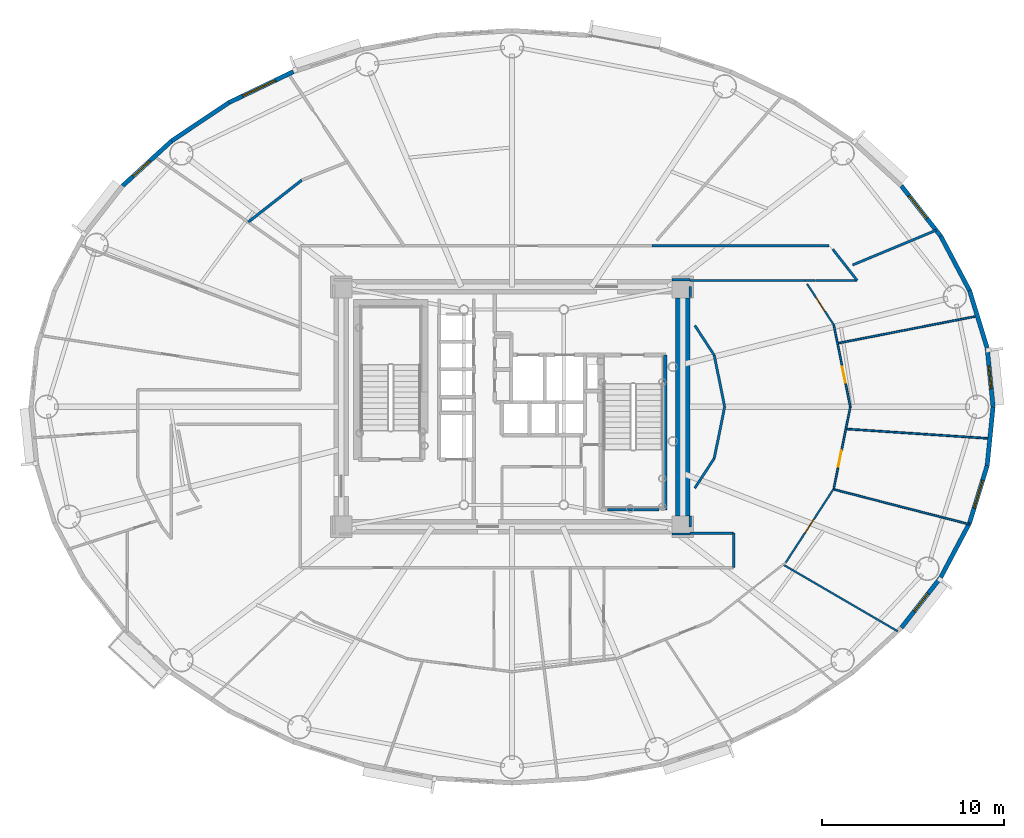
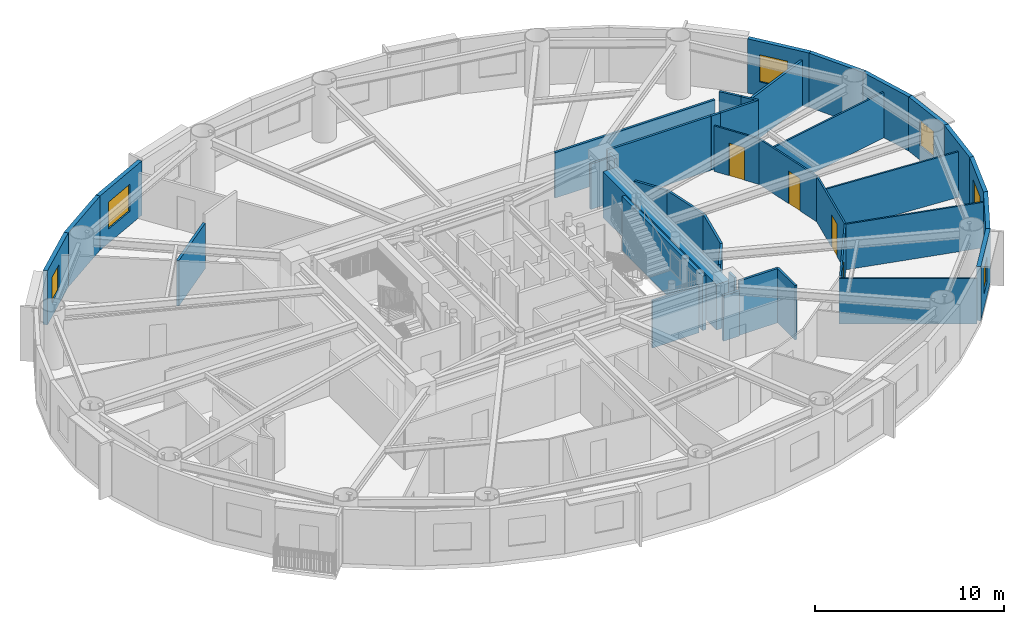
# One storey, part 11 of 18: 40 walls, 6 windows, 4 doors, 10 openings.
"""IFC4 building model written with IfcOpenShell, lengths in metres."""

from ifc_helpers import new_model, si_unit, direction, frame, frame_2d, origin, origin_2d, place, context, subcontext, project, spatial, rectangle, extrude, source, transform, mapped, material, layer, layer_set, type_object, element, fill, save


model = new_model("IFC4")

# Units and contexts
model_context = context("Model", 3, precision=1e-05, world=origin(), true_north=direction((0.0, 1.0)))
body_context = subcontext(model_context, "Body", "Model", "MODEL_VIEW")
ifc_project = project(units=[si_unit("LENGTHUNIT", "METRE"), si_unit("AREAUNIT", "SQUARE_METRE"), si_unit("VOLUMEUNIT", "CUBIC_METRE"), si_unit("PLANEANGLEUNIT", "RADIAN"), si_unit("MASSUNIT", "GRAM", prefix="KILO")], contexts=[model_context])

# Site, building, storey
site_placement = place(None, origin())
site = spatial("IfcSite", under=ifc_project, at=site_placement, CompositionType="ELEMENT")
building_placement = place(site_placement, origin())
building = spatial("IfcBuilding", under=site, at=building_placement, Name="Linh Dai School and Residence Tower", CompositionType="ELEMENT")
storey_placement = place(building_placement, frame((0.0, 0.0, 167.39990234375)))
storey = spatial("IfcBuildingStorey", under=building, at=storey_placement, Name="L40", CompositionType="ELEMENT", Elevation=167.39990234375)

# Wall, opening, window
ifc_material_1 = material(Name="Precast Concrete B45 (C35/45)", Category="concrete")
ifc_layer_1 = layer(ifc_material_1, 0.239990234375)
ifc_layer_set_1 = layer_set([ifc_layer_1], Name="Precast Concrete B45 (C35/45)")
wall_type_1 = type_object("IfcWallType", Name="EW-TC-240", PredefinedType="SOLIDWALL", material=ifc_layer_set_1)
wall_1_placement = place(storey_placement, frame((62.14990234375, 30.233642578125, 0.0), z_axis=(0.0, 0.0, 1.0), x_axis=(0.100061534614, -0.994981250723, 0.0)))
wall_1 = element("IfcWall", 1, at=wall_1_placement, inside=storey, type_object=wall_type_1, Name="L40 Terracotta Exterior Wall 01", PredefinedType="SOLIDWALL", context=body_context, shape_type="SweptSolid", body=[
    extrude(rectangle(XDim=3.25, YDim=0.239990234375, at=frame_2d((1.625, 0.0))), origin(), (0.0, 0.0, 1.0), 3.5),
])
opening_1_placement = place(wall_1_placement, frame((1.0, 0.0, 0.89990234375)))
opening_1 = element("IfcOpeningElement", 2, at=opening_1_placement, cuts=wall_1, Name="Opening W3", PredefinedType="OPENING", context=body_context, shape_type="SweptSolid", body=[
    extrude(rectangle(XDim=1.25, YDim=1.64990234375, at=origin_2d()), frame((0.625, 0.1298828125, 0.824951171875), z_axis=(0.0, -1.0, 0.0), x_axis=(1.0, 0.0, 0.0)), (0.0, 0.0, 1.0), 0.260009765625),
])
ifc_material_2 = material(Name="Double Low-E Insulated Glazing", Category="glass")
window_type_1 = type_object("IfcWindowType", Name="WN-RES-1250x1650", PartitioningType="SINGLE_PANEL", PredefinedType="WINDOW", material=ifc_material_2)
shared_shape_1 = source(origin(), body_context, "Body", "SweptSolid", [
    extrude(rectangle(XDim=1.25, YDim=1.64990234375, at=origin_2d()), frame((0.625, 0.030029296875, 0.824951171875), z_axis=(0.0, -1.0, 0.0), x_axis=(1.0, 0.0, 0.0)), (0.0, 0.0, 1.0), 0.06005859375),
])
window_1_placement = place(opening_1_placement, origin())
window_1 = element("IfcWindow", 3, at=window_1_placement, inside=storey, type_object=window_type_1, Name="L40 Dwelling Window U4002-BD4", OverallHeight=1.64990234375, OverallWidth=1.25, PartitioningType="SINGLE_PANEL", PredefinedType="WINDOW", context=body_context, shape_type="MappedRepresentation", body=[
    mapped(shared_shape_1, transform((0.0, 0.0, 0.0), x_axis=(1.0, 0.0, 0.0), y_axis=(0.0, 1.0, 0.0), z_axis=(0.0, 0.0, 1.0), scale=1.0)),
])
fill(opening_1, window_1)

# Walls
wall_2_placement = place(storey_placement, frame((61.1826171875, 33.388916015625, 0.0), z_axis=(0.0, 0.0, 1.0), x_axis=(0.293097995113, -0.956082405058, 0.0)))
element("IfcWall", 4, at=wall_2_placement, inside=storey, type_object=wall_type_1, Name="L40 Terracotta Exterior Wall 02", PredefinedType="SOLIDWALL", context=body_context, shape_type="SweptSolid", body=[
    extrude(rectangle(XDim=3.30029296875, YDim=0.239990234375, at=frame_2d((1.650146484375, 0.0))), origin(), (0.0, 0.0, 1.0), 3.5),
])
wall_3_placement = place(storey_placement, frame((59.595947265625, 36.388427734375, 0.0), z_axis=(0.0, 0.0, 1.0), x_axis=(0.467586874938, -0.88394712194, 0.0)))
element("IfcWall", 5, at=wall_3_placement, inside=storey, type_object=wall_type_1, Name="L40 Terracotta Exterior Wall 03", PredefinedType="SOLIDWALL", context=body_context, shape_type="SweptSolid", body=[
    extrude(rectangle(XDim=3.393310546875, YDim=0.239990234375, at=frame_2d((1.69677734375, 0.0))), origin(), (0.0, 0.0, 1.0), 3.5),
])

# Wall, opening, window
wall_4_placement = place(storey_placement, frame((57.42822265625, 39.158447265625, 0.0), z_axis=(0.0, 0.0, 1.0), x_axis=(0.616287674549, -0.787521112224, 0.0)))
wall_4 = element("IfcWall", 6, at=wall_4_placement, inside=storey, type_object=wall_type_1, Name="L40 Terracotta Exterior Wall 04", PredefinedType="SOLIDWALL", context=body_context, shape_type="SweptSolid", body=[
    extrude(rectangle(XDim=3.517333984375, YDim=0.239990234375, at=frame_2d((1.7587890625, 0.0))), origin(), (0.0, 0.0, 1.0), 3.5),
])
opening_2_placement = place(wall_4_placement, frame((0.683837890625, 0.0, 0.89990234375)))
opening_2 = element("IfcOpeningElement", 7, at=opening_2_placement, cuts=wall_4, Name="Opening W2", PredefinedType="OPENING", context=body_context, shape_type="SweptSolid", body=[
    extrude(rectangle(XDim=1.60009765625, YDim=1.75, at=origin_2d()), frame((0.800048828125, 0.1298828125, 0.875), z_axis=(0.0, -1.0, 0.0), x_axis=(1.0, 0.0, 0.0)), (0.0, 0.0, 1.0), 0.260009765625),
])
window_type_2 = type_object("IfcWindowType", Name="WN-RES-1600x1750", PartitioningType="DOUBLE_PANEL_VERTICAL", PredefinedType="WINDOW", material=ifc_material_2)
shared_shape_2 = source(origin(), body_context, "Body", "SweptSolid", [
    extrude(rectangle(XDim=1.60009765625, YDim=1.75, at=origin_2d()), frame((0.800048828125, 0.030029296875, 0.875), z_axis=(0.0, -1.0, 0.0), x_axis=(1.0, 0.0, 0.0)), (0.0, 0.0, 1.0), 0.06005859375),
])
window_2_placement = place(opening_2_placement, origin())
window_2 = element("IfcWindow", 8, at=window_2_placement, inside=storey, type_object=window_type_2, Name="L40 Exterior Window 04.1", OverallHeight=1.75, OverallWidth=1.60009765625, PartitioningType="DOUBLE_PANEL_VERTICAL", PredefinedType="WINDOW", context=body_context, shape_type="MappedRepresentation", body=[
    mapped(shared_shape_2, transform((0.0, 0.0, 0.0), x_axis=(1.0, 0.0, 0.0), y_axis=(0.0, 1.0, 0.0), z_axis=(0.0, 0.0, 1.0), scale=1.0)),
])
fill(opening_2, window_2)

wall_5_placement = place(storey_placement, frame((20.4267578125, 43.7431640625, 0.0), z_axis=(0.0, 0.0, 1.0), x_axis=(0.901564733809, 0.432644231155, 0.0)))
wall_5 = element("IfcWall", 9, at=wall_5_placement, inside=storey, type_object=wall_type_1, Name="L40 Terracotta Exterior Wall 14", PredefinedType="SOLIDWALL", context=body_context, shape_type="SweptSolid", body=[
    extrude(rectangle(XDim=3.930419921875, YDim=0.239990234375, at=frame_2d((1.96533203125, 0.0))), origin(), (0.0, 0.0, 1.0), 3.5),
])
opening_3_placement = place(wall_5_placement, frame((0.829833984375, 0.0, 0.89990234375)))
opening_3 = element("IfcOpeningElement", 10, at=opening_3_placement, cuts=wall_5, Name="Opening W1", PredefinedType="OPENING", context=body_context, shape_type="SweptSolid", body=[
    extrude(rectangle(XDim=2.0, YDim=1.75, at=origin_2d()), frame((1.0, 0.1298828125, 0.875), z_axis=(0.0, -1.0, 0.0), x_axis=(1.0, 0.0, 0.0)), (0.0, 0.0, 1.0), 0.260009765625),
])
window_type_3 = type_object("IfcWindowType", Name="WN-RES-2000x1750", PartitioningType="DOUBLE_PANEL_VERTICAL", PredefinedType="WINDOW", material=ifc_material_2)
shared_shape_3 = source(origin(), body_context, "Body", "SweptSolid", [
    extrude(rectangle(XDim=2.0, YDim=1.75, at=origin_2d()), frame((1.0, 0.030029296875, 0.875), z_axis=(0.0, -1.0, 0.0), x_axis=(1.0, 0.0, 0.0)), (0.0, 0.0, 1.0), 0.06005859375),
])
window_3_placement = place(opening_3_placement, origin())
window_3 = element("IfcWindow", 11, at=window_3_placement, inside=storey, type_object=window_type_3, Name="L40 Exterior Window 14.1", OverallHeight=1.75, OverallWidth=2.0, PartitioningType="DOUBLE_PANEL_VERTICAL", PredefinedType="WINDOW", context=body_context, shape_type="MappedRepresentation", body=[
    mapped(shared_shape_3, transform((0.0, 0.0, 0.0), x_axis=(1.0, 0.0, 0.0), y_axis=(0.0, 1.0, 0.0), z_axis=(0.0, 0.0, 1.0), scale=1.0)),
])
fill(opening_3, window_3)

# Wall
wall_6_placement = place(storey_placement, frame((17.26806640625, 41.630615234375, 0.0), z_axis=(0.0, 0.0, 1.0), x_axis=(0.831228998277, 0.555930168657, 0.0)))
element("IfcWall", 12, at=wall_6_placement, inside=storey, type_object=wall_type_1, Name="L40 Terracotta Exterior Wall 15", PredefinedType="SOLIDWALL", context=body_context, shape_type="SweptSolid", body=[
    extrude(rectangle(XDim=3.800048828125, YDim=0.239990234375, at=frame_2d((1.89990234375, 0.0))), origin(), (0.0, 0.0, 1.0), 3.5),
])

# Wall, opening, window
wall_7_placement = place(storey_placement, frame((14.57177734375, 39.158447265625, 0.0), z_axis=(0.0, 0.0, 1.0), x_axis=(0.737076565834, 0.675809245349, 0.0)))
wall_7 = element("IfcWall", 13, at=wall_7_placement, inside=storey, type_object=wall_type_1, Name="L40 Terracotta Exterior Wall 16", PredefinedType="SOLIDWALL", context=body_context, shape_type="SweptSolid", body=[
    extrude(rectangle(XDim=3.658203125, YDim=0.239990234375, at=frame_2d((1.8291015625, 0.0))), origin(), (0.0, 0.0, 1.0), 3.5),
])
opening_4_placement = place(wall_7_placement, frame((0.777587890625, 0.0, 0.89990234375)))
opening_4 = element("IfcOpeningElement", 14, at=opening_4_placement, cuts=wall_7, Name="Opening W3", PredefinedType="OPENING", context=body_context, shape_type="SweptSolid", body=[
    extrude(rectangle(XDim=1.25, YDim=1.64990234375, at=origin_2d()), frame((0.625, 0.1298828125, 0.824951171875), z_axis=(0.0, -1.0, 0.0), x_axis=(1.0, 0.0, 0.0)), (0.0, 0.0, 1.0), 0.260009765625),
])
window_4_placement = place(opening_4_placement, origin())
window_4 = element("IfcWindow", 15, at=window_4_placement, inside=storey, type_object=window_type_1, Name="L40 Exterior Window 16.1", OverallHeight=1.64990234375, OverallWidth=1.25, PartitioningType="SINGLE_PANEL", PredefinedType="WINDOW", context=body_context, shape_type="MappedRepresentation", body=[
    mapped(shared_shape_1, transform((0.0, 0.0, 0.0), x_axis=(1.0, 0.0, 0.0), y_axis=(0.0, 1.0, 0.0), z_axis=(0.0, 0.0, 1.0), scale=1.0)),
])
fill(opening_4, window_4)

wall_8_placement = place(storey_placement, frame((59.595947265625, 17.611572265625, 0.0), z_axis=(0.0, 0.0, 1.0), x_axis=(-0.616287674549, -0.787521112224, 0.0)))
wall_8 = element("IfcWall", 16, at=wall_8_placement, inside=storey, type_object=wall_type_1, Name="L40 Terracotta Exterior Wall 37", PredefinedType="SOLIDWALL", context=body_context, shape_type="SweptSolid", body=[
    extrude(rectangle(XDim=3.517333984375, YDim=0.239990234375, at=frame_2d((1.7587890625, 0.0))), origin(), (0.0, 0.0, 1.0), 3.5),
])
opening_5_placement = place(wall_8_placement, frame((1.1337890625, 0.0, 0.89990234375)))
opening_5 = element("IfcOpeningElement", 17, at=opening_5_placement, cuts=wall_8, Name="Opening W3", PredefinedType="OPENING", context=body_context, shape_type="SweptSolid", body=[
    extrude(rectangle(XDim=1.25, YDim=1.64990234375, at=origin_2d()), frame((0.625, 0.1298828125, 0.824951171875), z_axis=(0.0, -1.0, 0.0), x_axis=(1.0, 0.0, 0.0)), (0.0, 0.0, 1.0), 0.260009765625),
])
window_5_placement = place(opening_5_placement, origin())
window_5 = element("IfcWindow", 18, at=window_5_placement, inside=storey, type_object=window_type_1, Name="L40 Dwelling Window U4002-BD3", OverallHeight=1.64990234375, OverallWidth=1.25, PartitioningType="SINGLE_PANEL", PredefinedType="WINDOW", context=body_context, shape_type="MappedRepresentation", body=[
    mapped(shared_shape_1, transform((0.0, 0.0, 0.0), x_axis=(1.0, 0.0, 0.0), y_axis=(0.0, 1.0, 0.0), z_axis=(0.0, 0.0, 1.0), scale=1.0)),
])
fill(opening_5, window_5)

# Wall
wall_9_placement = place(storey_placement, frame((61.1826171875, 20.611083984375, 0.0), z_axis=(0.0, 0.0, 1.0), x_axis=(-0.467586874938, -0.88394712194, 0.0)))
element("IfcWall", 19, at=wall_9_placement, inside=storey, type_object=wall_type_1, Name="L40 Terracotta Exterior Wall 38", PredefinedType="SOLIDWALL", context=body_context, shape_type="SweptSolid", body=[
    extrude(rectangle(XDim=3.393310546875, YDim=0.239990234375, at=frame_2d((1.69677734375, 0.0))), origin(), (0.0, 0.0, 1.0), 3.5),
])

# Wall, opening, window
wall_10_placement = place(storey_placement, frame((62.14990234375, 23.766357421875, 0.0), z_axis=(0.0, 0.0, 1.0), x_axis=(-0.293097995113, -0.956082405058, 0.0)))
wall_10 = element("IfcWall", 20, at=wall_10_placement, inside=storey, type_object=wall_type_1, Name="L40 Terracotta Exterior Wall 39", PredefinedType="SOLIDWALL", context=body_context, shape_type="SweptSolid", body=[
    extrude(rectangle(XDim=3.30029296875, YDim=0.239990234375, at=frame_2d((1.650146484375, 0.0))), origin(), (0.0, 0.0, 1.0), 3.5),
])
opening_6_placement = place(wall_10_placement, frame((0.85009765625, 0.0, 0.89990234375)))
opening_6 = element("IfcOpeningElement", 21, at=opening_6_placement, cuts=wall_10, Name="Opening W2", PredefinedType="OPENING", context=body_context, shape_type="SweptSolid", body=[
    extrude(rectangle(XDim=1.60009765625, YDim=1.75, at=origin_2d()), frame((0.800048828125, 0.1298828125, 0.875), z_axis=(0.0, -1.0, 0.0), x_axis=(1.0, 0.0, 0.0)), (0.0, 0.0, 1.0), 0.260009765625),
])
window_6_placement = place(opening_6_placement, origin())
window_6 = element("IfcWindow", 22, at=window_6_placement, inside=storey, type_object=window_type_2, Name="L40 Exterior Window 39.1", OverallHeight=1.75, OverallWidth=1.60009765625, PartitioningType="DOUBLE_PANEL_VERTICAL", PredefinedType="WINDOW", context=body_context, shape_type="MappedRepresentation", body=[
    mapped(shared_shape_2, transform((0.0, 0.0, 0.0), x_axis=(1.0, 0.0, 0.0), y_axis=(0.0, 1.0, 0.0), z_axis=(0.0, 0.0, 1.0), scale=1.0)),
])
fill(opening_6, window_6)

# Walls
wall_11_placement = place(storey_placement, frame((62.47509765625, 27.0, 0.0), z_axis=(0.0, 0.0, 1.0), x_axis=(-0.100061534614, -0.994981250723, 0.0)))
element("IfcWall", 23, at=wall_11_placement, inside=storey, type_object=wall_type_1, Name="L40 Terracotta Exterior Wall 40", PredefinedType="SOLIDWALL", context=body_context, shape_type="SweptSolid", body=[
    extrude(rectangle(XDim=3.25, YDim=0.239990234375, at=frame_2d((1.625, 0.0))), origin(), (0.0, 0.0, 1.0), 3.5),
])
ifc_material_3 = material(Name="Autoclaved Aerated Concrete Blockwork", Category="masonry")
ifc_layer_2 = layer(ifc_material_3, 0.135009765625)
ifc_layer_set_2 = layer_set([ifc_layer_2], Name="Autoclaved Aerated Concrete Blockwork")
wall_type_2 = type_object("IfcWallType", Name="IW-CORR-135-EI90", PredefinedType="PARTITIONING", material=ifc_layer_set_2)
wall_12_placement = place(storey_placement, frame((45.800048828125, 20.050048828125, 0.0), z_axis=(0.0, 0.0, 1.0), x_axis=(1.0, 0.0, 0.0)))
element("IfcWall", 24, at=wall_12_placement, inside=storey, type_object=wall_type_2, Name="L40 Interior Partition Wall 065", PredefinedType="PARTITIONING", context=body_context, shape_type="SweptSolid", body=[
    extrude(rectangle(XDim=2.39990234375, YDim=0.135009765625, at=frame_2d((1.199951171875, 0.0))), origin(), (0.0, 0.0, 1.0), 3.5),
])
wall_13_placement = place(storey_placement, frame((45.800048828125, 33.949951171875, 0.0), z_axis=(0.0, 0.0, 1.0), x_axis=(1.0, 0.0, 0.0)))
element("IfcWall", 25, at=wall_13_placement, inside=storey, type_object=wall_type_2, Name="L40 Interior Partition Wall 066", PredefinedType="PARTITIONING", context=body_context, shape_type="SweptSolid", body=[
    extrude(rectangle(XDim=6.318359375, YDim=0.135009765625, at=frame_2d((3.1591796875, 0.0))), origin(), (0.0, 0.0, 1.0), 3.5),
])
wall_14_placement = place(storey_placement, frame((48.199951171875, 18.14990234375, 0.0), z_axis=(0.0, 0.0, 1.0), x_axis=(0.0, 1.0, 0.0)))
element("IfcWall", 26, at=wall_14_placement, inside=storey, type_object=wall_type_2, Name="L40 Interior Partition Wall 068", PredefinedType="PARTITIONING", context=body_context, shape_type="SweptSolid", body=[
    extrude(rectangle(XDim=1.900146484375, YDim=0.135009765625, at=frame_2d((0.9501953125, 0.0))), origin(), (0.0, 0.0, 1.0), 3.5),
])
wall_15_placement = place(storey_placement, frame((52.6962890625, 33.949951171875, 0.0), z_axis=(0.0, 0.0, 1.0), x_axis=(1.0, 0.0, 0.0)))
element("IfcWall", 27, at=wall_15_placement, inside=storey, type_object=wall_type_2, Name="L40 Interior Partition Wall 073", PredefinedType="PARTITIONING", context=body_context, shape_type="SweptSolid", body=[
    extrude(rectangle(XDim=2.30078125, YDim=0.135009765625, at=frame_2d((1.150390625, 0.0))), origin(), (0.0, 0.0, 1.0), 3.5),
])
wall_16_placement = place(storey_placement, frame((54.431640625, 34.67236328125, 0.0), z_axis=(0.0, 0.0, 1.0), x_axis=(0.616351315364, -0.787471304905, 0.0)))
element("IfcWall", 28, at=wall_16_placement, inside=storey, type_object=wall_type_2, Name="L40 Interior Partition Wall 079", PredefinedType="PARTITIONING", context=body_context, shape_type="SweptSolid", body=[
    extrude(rectangle(XDim=0.91748046875, YDim=0.135009765625, at=frame_2d((0.458740234375, 0.0))), origin(), (0.0, 0.0, 1.0), 3.5),
])
wall_17_placement = place(storey_placement, frame((44.080078125, 21.330078125, 0.0), z_axis=(0.0, 0.0, 1.0), x_axis=(-1.0, 0.0, 0.0)))
element("IfcWall", 29, at=wall_17_placement, inside=storey, type_object=wall_type_2, Name="L40 Interior Partition Wall 080", PredefinedType="PARTITIONING", context=body_context, shape_type="SweptSolid", body=[
    extrude(rectangle(XDim=2.820068359375, YDim=0.135009765625, at=frame_2d((1.41015625, 0.0))), origin(), (0.0, 0.0, 1.0), 3.03515625),
])
wall_18_placement = place(storey_placement, frame((43.703125, 35.85009765625, 0.0), z_axis=(0.0, 0.0, 1.0), x_axis=(1.0, 0.0, 0.0)))
element("IfcWall", 30, at=wall_18_placement, inside=storey, type_object=wall_type_2, Name="L40 Interior Partition Wall 086", PredefinedType="PARTITIONING", context=body_context, shape_type="SweptSolid", body=[
    extrude(rectangle(XDim=9.750732421875, YDim=0.135009765625, at=frame_2d((4.87548828125, 0.0))), origin(), (0.0, 0.0, 1.0), 2.93505859375),
])
wall_19_placement = place(storey_placement, frame((53.6533203125, 35.6669921875, 0.0), z_axis=(0.0, 0.0, 1.0), x_axis=(0.616271486236, -0.787533780388, 0.0)))
element("IfcWall", 31, at=wall_19_placement, inside=storey, type_object=wall_type_2, Name="L40 Interior Partition Wall 087", PredefinedType="PARTITIONING", context=body_context, shape_type="SweptSolid", body=[
    extrude(rectangle(XDim=1.2529296875, YDim=0.135009765625, at=frame_2d((0.62646484375, 0.0))), origin(), (0.0, 0.0, 1.0), 3.5),
])
wall_20_placement = place(storey_placement, frame((52.686279296875, 33.949951171875, 0.0), z_axis=(0.0, 0.0, 1.0), x_axis=(-1.0, 0.0, 0.0)))
element("IfcWall", 32, at=wall_20_placement, inside=storey, type_object=wall_type_2, Name="L40 Interior Partition Wall 088", PredefinedType="PARTITIONING", context=body_context, shape_type="SweptSolid", body=[
    extrude(rectangle(XDim=0.557861328125, YDim=0.135009765625, at=frame_2d((0.27880859375, 0.0))), origin(), (0.0, 0.0, 1.0), 3.5),
])
for number, where, z_axis, x_axis, name in (
    (33, (45.7900390625, 34.0, 0.0), (0.0, 0.0, 1.0), (-1.0, 0.0, 0.0), "L40 Interior Partition Wall 089"),
    (34, (44.81005859375, 20.0, 0.0), (0.0, 0.0, 1.0), (1.0, 0.0, 0.0), "L40 Interior Partition Wall 094"),
):
    element("IfcWall", number, at=place(storey_placement, frame(where, z_axis=z_axis, x_axis=x_axis)), inside=storey, type_object=wall_type_2, Name=name, PredefinedType="PARTITIONING", context=body_context, shape_type="SweptSolid", body=[
        extrude(rectangle(XDim=0.97998046875, YDim=0.135009765625, at=frame_2d((0.489990234375, 0.0))), origin(), (0.0, 0.0, 1.0), 2.93505859375),
    ])
wall_21_placement = place(storey_placement, frame((45.800048828125, 20.37744140625, 0.0), z_axis=(0.0, 0.0, 1.0), x_axis=(0.0, 1.0, 0.0)))
element("IfcWall", 35, at=wall_21_placement, inside=storey, type_object=wall_type_2, Name="L40 Interior Partition Wall 100", PredefinedType="PARTITIONING", context=body_context, shape_type="SweptSolid", body=[
    extrude(rectangle(XDim=0.612548828125, YDim=0.135009765625, at=frame_2d((0.30615234375, 0.0))), origin(), (0.0, 0.0, 1.0), 3.5),
])
wall_22_placement = place(storey_placement, frame((46.06005859375, 22.521484375, 0.0), z_axis=(0.0, 0.0, 1.0), x_axis=(0.545342221334, 0.838213494064, 0.0)))
element("IfcWall", 36, at=wall_22_placement, inside=storey, type_object=wall_type_2, Name="L40 Interior Partition Wall 101", PredefinedType="PARTITIONING", context=body_context, shape_type="SweptSolid", body=[
    extrude(rectangle(XDim=1.9638671875, YDim=0.135009765625, at=frame_2d((0.98193359375, 0.0))), origin(), (0.0, 0.0, 1.0), 2.93505859375),
])
for number, where, z_axis, x_axis, name in (
    (37, (47.131103515625, 24.167724609375, 0.0), (0.0, 0.0, 1.0), (0.198292837027, 0.980142821625, 0.0), "L40 Interior Partition Wall 102"),
    (38, (47.7041015625, 27.0, 0.0), (0.0, 0.0, 1.0), (-0.198292837027, 0.980142821625, 0.0), "L40 Interior Partition Wall 103"),
):
    element("IfcWall", number, at=place(storey_placement, frame(where, z_axis=z_axis, x_axis=x_axis)), inside=storey, type_object=wall_type_2, Name=name, PredefinedType="PARTITIONING", context=body_context, shape_type="SweptSolid", body=[
        extrude(rectangle(XDim=2.8896484375, YDim=0.135009765625, at=frame_2d((1.44482421875, 0.0))), origin(), (0.0, 0.0, 1.0), 2.93505859375),
    ])
wall_23_placement = place(storey_placement, frame((47.131103515625, 29.832275390625, 0.0), z_axis=(0.0, 0.0, 1.0), x_axis=(-0.545342221334, 0.838213494064, 0.0)))
element("IfcWall", 39, at=wall_23_placement, inside=storey, type_object=wall_type_2, Name="L40 Interior Partition Wall 104", PredefinedType="PARTITIONING", context=body_context, shape_type="SweptSolid", body=[
    extrude(rectangle(XDim=1.9638671875, YDim=0.135009765625, at=frame_2d((0.98193359375, 0.0))), origin(), (0.0, 0.0, 1.0), 2.93505859375),
])
wall_24_placement = place(storey_placement, frame((45.800048828125, 33.010009765625, 0.0), z_axis=(0.0, 0.0, 1.0), x_axis=(0.0, 1.0, 0.0)))
element("IfcWall", 40, at=wall_24_placement, inside=storey, type_object=wall_type_2, Name="L40 Interior Partition Wall 105", PredefinedType="PARTITIONING", context=body_context, shape_type="SweptSolid", body=[
    extrude(rectangle(XDim=0.612548828125, YDim=0.135009765625, at=frame_2d((0.30615234375, 0.0))), origin(), (0.0, 0.0, 1.0), 3.5),
])
wall_25_placement = place(storey_placement, frame((54.745361328125, 34.802978515625, 0.0), z_axis=(0.0, 0.0, 1.0), x_axis=(0.92320880582, 0.384298713055, 0.0)))
element("IfcWall", 41, at=wall_25_placement, inside=storey, type_object=wall_type_2, Name="L40 Interior Partition Wall 106", PredefinedType="PARTITIONING", context=body_context, shape_type="SweptSolid", body=[
    extrude(rectangle(XDim=4.98193359375, YDim=0.135009765625, at=frame_2d((2.490966796875, 0.0))), origin(), (0.0, 0.0, 1.0), 2.93505859375),
])
ifc_layer_3 = layer(ifc_material_3, 0.14990234375)
ifc_layer_set_3 = layer_set([ifc_layer_3], Name="Autoclaved Aerated Concrete Blockwork")
wall_type_3 = type_object("IfcWallType", Name="IW-SCH-150-EI60", PredefinedType="PARTITIONING", material=ifc_layer_set_3)
wall_26_placement = place(storey_placement, frame((21.484619140625, 37.163818359375, 0.0), z_axis=(0.0, 0.0, 1.0), x_axis=(0.787295634213, 0.616575692311, 0.0)))
element("IfcWall", 42, at=wall_26_placement, inside=storey, type_object=wall_type_3, Name="L40 Interior Partition Wall 015", PredefinedType="PARTITIONING", context=body_context, shape_type="SweptSolid", body=[
    extrude(rectangle(XDim=3.740966796875, YDim=0.14990234375, at=frame_2d((1.87060546875, 0.0))), origin(), (0.0, 0.0, 1.0), 2.93505859375),
])
ifc_material_4 = material(Name="Concrete B45 (C35/45)", Category="concrete")
ifc_layer_4 = layer(ifc_material_4, 0.199951171875)
ifc_layer_set_4 = layer_set([ifc_layer_4], Name="Concrete B45 (C35/45)")
wall_type_4 = type_object("IfcWallType", Name="IW-SHAFT-200-EI120", PredefinedType="PARTITIONING", material=ifc_layer_set_4)
wall_27_placement = place(storey_placement, frame((44.43994140625, 21.330078125, 0.0), z_axis=(0.0, 0.0, 1.0), x_axis=(0.0, 1.0, 0.0)))
element("IfcWall", 43, at=wall_27_placement, inside=storey, type_object=wall_type_4, Name="L40 Interior Partition Wall 064", PredefinedType="PARTITIONING", context=body_context, shape_type="SweptSolid", body=[
    extrude(rectangle(XDim=8.52001953125, YDim=0.199951171875, at=frame_2d((4.260009765625, 0.0))), origin(), (0.0, 0.0, 1.0), 3.5),
])
ifc_material_5 = material(Name="Gypsum Plasterboard Acoustic Stud Partition", Category="masonry")
ifc_layer_5 = layer(ifc_material_5, 0.10009765625)
ifc_layer_set_5 = layer_set([ifc_layer_5], Name="Gypsum Plasterboard Acoustic Stud Partition")
wall_type_5 = type_object("IfcWallType", Name="IW-UNIT-100", PredefinedType="PARTITIONING", material=ifc_layer_set_5)
wall_28_placement = place(storey_placement, frame((50.919677734375, 18.316650390625, 0.0), z_axis=(0.0, 0.0, 1.0), x_axis=(0.864271351568, -0.50302587494, 0.0)))
element("IfcWall", 44, at=wall_28_placement, inside=storey, type_object=wall_type_5, Name="L40 Interior Partition Wall 070", PredefinedType="PARTITIONING", context=body_context, shape_type="SweptSolid", body=[
    extrude(rectangle(XDim=7.294189453125, YDim=0.10009765625, at=frame_2d((3.64697265625, 0.0))), origin(), (0.0, 0.0, 1.0), 2.93505859375),
])

# Wall, opening, door
wall_29_placement = place(storey_placement, frame((51.06396484375, 18.429443359375, 0.0), z_axis=(0.0, 0.0, 1.0), x_axis=(0.545379401359, 0.838189303542, 0.0)))
wall_29 = element("IfcWall", 45, at=wall_29_placement, inside=storey, type_object=wall_type_5, Name="L40 Interior Partition Wall 071", PredefinedType="PARTITIONING", context=body_context, shape_type="SweptSolid", body=[
    extrude(rectangle(XDim=4.80517578125, YDim=0.10009765625, at=frame_2d((2.402587890625, 0.0))), origin(), (0.0, 0.0, 1.0), 2.93505859375),
])
opening_7_placement = place(wall_29_placement, frame((1.95263671875, 0.0, 0.0)))
opening_7 = element("IfcOpeningElement", 46, at=opening_7_placement, cuts=wall_29, Name="Opening D05", PredefinedType="OPENING", context=body_context, shape_type="SweptSolid", body=[
    extrude(rectangle(XDim=0.89990234375, YDim=2.10009765625, at=origin_2d()), frame((0.449951171875, 0.06005859375, 1.050048828125), z_axis=(0.0, -1.0, 0.0), x_axis=(1.0, 0.0, 0.0)), (0.0, 0.0, 1.0), 0.1201171875),
])
ifc_material_6 = material(Name="Engineered Timber Internal Door", Category="wood")
door_type = type_object("IfcDoorType", Name="DR-INT-900x2100", OperationType="NOTDEFINED", PredefinedType="DOOR", material=ifc_material_6)
shared_shape_4 = source(origin(), body_context, "Body", "SweptSolid", [
    extrude(rectangle(XDim=0.89990234375, YDim=2.10009765625, at=origin_2d()), frame((0.449951171875, 0.02490234375, 1.050048828125), z_axis=(0.0, -1.0, 0.0), x_axis=(1.0, 0.0, 0.0)), (0.0, 0.0, 1.0), 0.050048828125),
])
door_1_placement = place(opening_7_placement, origin())
door_1 = element("IfcDoor", 47, at=door_1_placement, inside=storey, type_object=door_type, Name="L40 Apartment U4002 Principal Bedroom 3 Door", OperationType="SINGLE_SWING_LEFT", OverallHeight=2.10009765625, OverallWidth=0.89990234375, PredefinedType="DOOR", context=body_context, shape_type="MappedRepresentation", body=[
    mapped(shared_shape_4, transform((0.0, 0.0, 0.0), x_axis=(1.0, 0.0, 0.0), y_axis=(0.0, 1.0, 0.0), z_axis=(0.0, 0.0, 1.0), scale=1.0)),
])
fill(opening_7, door_1)

wall_30_placement = place(storey_placement, frame((52.241455078125, 33.7607421875, 0.0), z_axis=(0.0, 0.0, 1.0), x_axis=(0.545409337775, -0.838169824241, 0.0)))
wall_30 = element("IfcWall", 48, at=wall_30_placement, inside=storey, type_object=wall_type_5, Name="L40 Interior Partition Wall 072", PredefinedType="PARTITIONING", context=body_context, shape_type="SweptSolid", body=[
    extrude(rectangle(XDim=2.690185546875, YDim=0.10009765625, at=frame_2d((1.34521484375, 0.0))), origin(), (0.0, 0.0, 1.0), 2.93505859375),
])
opening_8_placement = place(wall_30_placement, frame((0.89501953125, 0.0, 0.0)))
opening_8 = element("IfcOpeningElement", 49, at=opening_8_placement, cuts=wall_30, Name="Opening D05", PredefinedType="OPENING", context=body_context, shape_type="SweptSolid", body=[
    extrude(rectangle(XDim=0.89990234375, YDim=2.10009765625, at=origin_2d()), frame((0.449951171875, 0.06005859375, 1.050048828125), z_axis=(0.0, -1.0, 0.0), x_axis=(1.0, 0.0, 0.0)), (0.0, 0.0, 1.0), 0.1201171875),
])
door_2_placement = place(opening_8_placement, origin())
door_2 = element("IfcDoor", 50, at=door_2_placement, inside=storey, type_object=door_type, Name="L40 Apartment U4002 Study Door", OperationType="SINGLE_SWING_RIGHT", OverallHeight=2.10009765625, OverallWidth=0.89990234375, PredefinedType="DOOR", context=body_context, shape_type="MappedRepresentation", body=[
    mapped(shared_shape_4, transform((0.0, 0.0, 0.0), x_axis=(1.0, 0.0, 0.0), y_axis=(0.0, 1.0, 0.0), z_axis=(0.0, 0.0, 1.0), scale=1.0)),
])
fill(opening_8, door_2)

# Wall
wall_31_placement = place(storey_placement, frame((53.6845703125, 22.45703125, 0.0), z_axis=(0.0, 0.0, 1.0), x_axis=(0.968557288856, -0.248790631261, 0.0)))
element("IfcWall", 51, at=wall_31_placement, inside=storey, type_object=wall_type_5, Name="L40 Interior Partition Wall 074", PredefinedType="PARTITIONING", context=body_context, shape_type="SweptSolid", body=[
    extrude(rectangle(XDim=7.708251953125, YDim=0.10009765625, at=frame_2d((3.85400390625, 0.0))), origin(), (0.0, 0.0, 1.0), 2.93505859375),
])

# Wall, opening, door
wall_32_placement = place(storey_placement, frame((53.708740234375, 22.494140625, 0.0), z_axis=(0.0, 0.0, 1.0), x_axis=(0.198209478932, 0.980159682124, 0.0)))
wall_32 = element("IfcWall", 52, at=wall_32_placement, inside=storey, type_object=wall_type_5, Name="L40 Interior Partition Wall 075", PredefinedType="PARTITIONING", context=body_context, shape_type="SweptSolid", body=[
    extrude(rectangle(XDim=4.596923828125, YDim=0.10009765625, at=frame_2d((2.29833984375, 0.0))), origin(), (0.0, 0.0, 1.0), 2.93505859375),
])
opening_9_placement = place(wall_32_placement, frame((1.24609375, 0.0, 0.0)))
opening_9 = element("IfcOpeningElement", 53, at=opening_9_placement, cuts=wall_32, Name="Opening D05", PredefinedType="OPENING", context=body_context, shape_type="SweptSolid", body=[
    extrude(rectangle(XDim=0.89990234375, YDim=2.10009765625, at=origin_2d()), frame((0.449951171875, 0.06005859375, 1.050048828125), z_axis=(0.0, -1.0, 0.0), x_axis=(1.0, 0.0, 0.0)), (0.0, 0.0, 1.0), 0.1201171875),
])
door_3_placement = place(opening_9_placement, origin())
door_3 = element("IfcDoor", 54, at=door_3_placement, inside=storey, type_object=door_type, Name="L40 Apartment U4002 Study Door", OperationType="SINGLE_SWING_RIGHT", OverallHeight=2.10009765625, OverallWidth=0.89990234375, PredefinedType="DOOR", context=body_context, shape_type="MappedRepresentation", body=[
    mapped(shared_shape_4, transform((0.0, 0.0, 0.0), x_axis=(1.0, 0.0, 0.0), y_axis=(0.0, 1.0, 0.0), z_axis=(0.0, 0.0, 1.0), scale=1.0)),
])
fill(opening_9, door_3)

wall_33_placement = place(storey_placement, frame((53.708740234375, 31.505859375, 0.0), z_axis=(0.0, 0.0, 1.0), x_axis=(0.19825018224, -0.980151450155, 0.0)))
wall_33 = element("IfcWall", 55, at=wall_33_placement, inside=storey, type_object=wall_type_5, Name="L40 Interior Partition Wall 076", PredefinedType="PARTITIONING", context=body_context, shape_type="SweptSolid", body=[
    extrude(rectangle(XDim=4.59716796875, YDim=0.10009765625, at=frame_2d((2.298583984375, 0.0))), origin(), (0.0, 0.0, 1.0), 2.93505859375),
])
opening_10_placement = place(wall_33_placement, frame((2.34521484375, 0.0, 0.0)))
opening_10 = element("IfcOpeningElement", 56, at=opening_10_placement, cuts=wall_33, Name="Opening D05", PredefinedType="OPENING", context=body_context, shape_type="SweptSolid", body=[
    extrude(rectangle(XDim=0.89990234375, YDim=2.10009765625, at=origin_2d()), frame((0.449951171875, 0.06005859375, 1.050048828125), z_axis=(0.0, -1.0, 0.0), x_axis=(1.0, 0.0, 0.0)), (0.0, 0.0, 1.0), 0.1201171875),
])
door_4_placement = place(opening_10_placement, origin())
door_4 = element("IfcDoor", 57, at=door_4_placement, inside=storey, type_object=door_type, Name="L40 Apartment U4002 Principal Bedroom 4 Door", OperationType="SINGLE_SWING_LEFT", OverallHeight=2.10009765625, OverallWidth=0.89990234375, PredefinedType="DOOR", context=body_context, shape_type="MappedRepresentation", body=[
    mapped(shared_shape_4, transform((0.0, 0.0, 0.0), x_axis=(1.0, 0.0, 0.0), y_axis=(0.0, 1.0, 0.0), z_axis=(0.0, 0.0, 1.0), scale=1.0)),
])
fill(opening_10, door_4)

# Walls
wall_34_placement = place(storey_placement, frame((53.91357421875, 30.49267578125, 0.0), z_axis=(0.0, 0.0, 1.0), x_axis=(0.981522814431, 0.191345145616, 0.0)))
element("IfcWall", 58, at=wall_34_placement, inside=storey, type_object=wall_type_5, Name="L40 Interior Partition Wall 077", PredefinedType="PARTITIONING", context=body_context, shape_type="SweptSolid", body=[
    extrude(rectangle(XDim=7.846923828125, YDim=0.10009765625, at=frame_2d((3.92333984375, 0.0))), origin(), (0.0, 0.0, 1.0), 2.93505859375),
])
wall_35_placement = place(storey_placement, frame((54.373291015625, 25.779541015625, 0.0), z_axis=(0.0, 0.0, 1.0), x_axis=(0.997802925864, -0.066251951951, 0.0)))
element("IfcWall", 59, at=wall_35_placement, inside=storey, type_object=wall_type_5, Name="L40 Interior Partition Wall 078", PredefinedType="PARTITIONING", context=body_context, shape_type="SweptSolid", body=[
    extrude(rectangle(XDim=7.94873046875, YDim=0.10009765625, at=frame_2d((3.974365234375, 0.0))), origin(), (0.0, 0.0, 1.0), 2.93505859375),
])
ifc_material_7 = material(Name="Concrete B60 (C50/60)", Category="concrete")
ifc_layer_6 = layer(ifc_material_7, 0.800048828125)
ifc_layer_set_6 = layer_set([ifc_layer_6], Name="Concrete B60 (C50/60)")
wall_type_6 = type_object("IfcWallType", Name="WL-CORE800", PredefinedType="SHEAR", material=ifc_layer_set_6)
wall_36_placement = place(storey_placement, frame((45.39990234375, 33.0, 0.0), z_axis=(0.0, 0.0, 1.0), x_axis=(0.0, -1.0, 0.0)))
element("IfcWall", 60, at=wall_36_placement, inside=storey, type_object=wall_type_6, Name="L40 Central Core Shear Wall E", PredefinedType="SHEAR", context=body_context, shape_type="SweptSolid", body=[
    extrude(rectangle(XDim=12.0, YDim=0.800048828125, at=frame_2d((6.0, 0.0))), origin(), (0.0, 0.0, 1.0), 2.9501953125),
])

save(model, "model.ifc")
